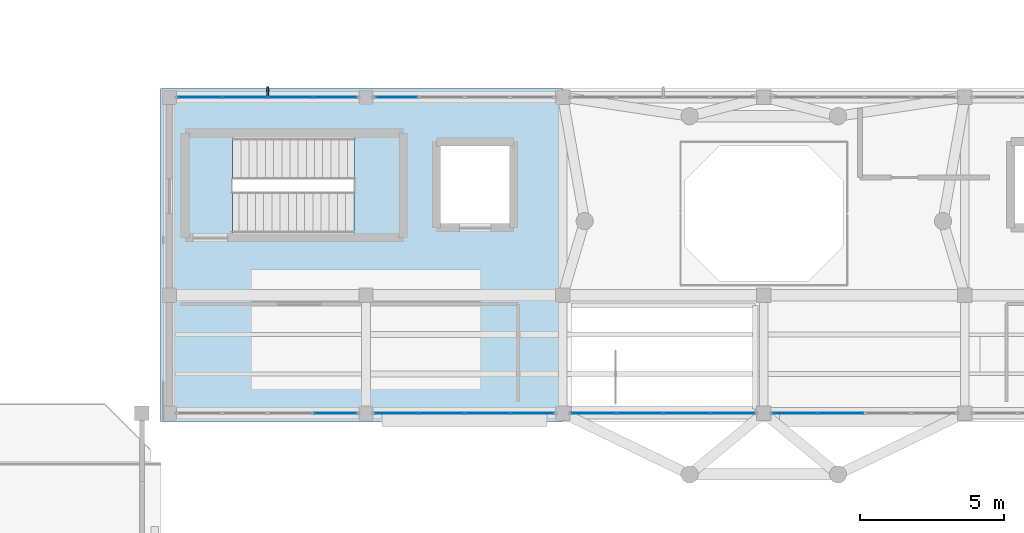
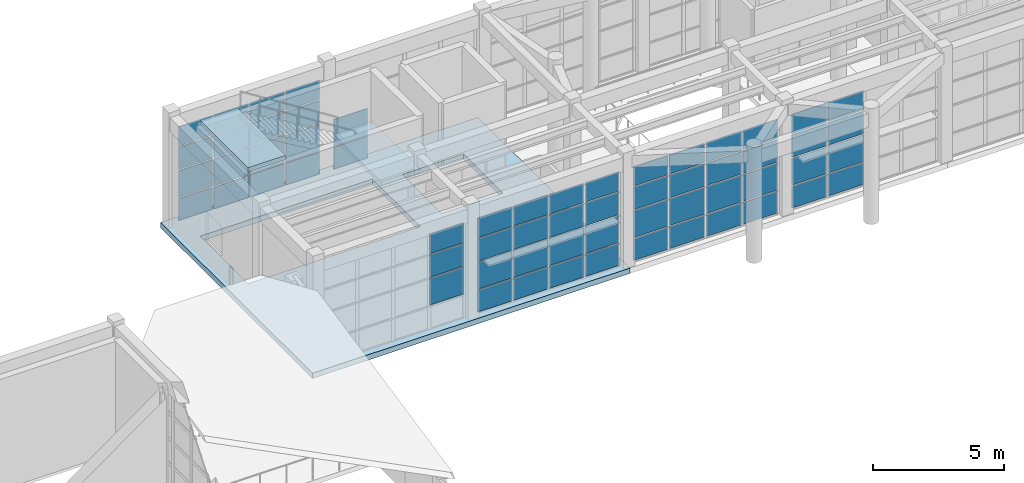
# One storey, part 66 of 103: 62 plates, 3 slabs, 7 elements without a shape of their own.
"""IFC4 building model written with IfcOpenShell, lengths in metres."""

from ifc_helpers import new_model, si_unit, direction, frame, origin, origin_2d, place, context, subcontext, project, spatial, polyline, rectangle, outline, extrude, material, layer, layer_set, type_object, element, aggregate, save


model = new_model("IFC4")

# Units and contexts
model_context = context("Model", 3, precision=1e-05, world=origin(), true_north=direction((0.0, 1.0)))
body_context = subcontext(model_context, "Body", "Model", "MODEL_VIEW")
ifc_project = project(units=[si_unit("LENGTHUNIT", "METRE"), si_unit("AREAUNIT", "SQUARE_METRE"), si_unit("VOLUMEUNIT", "CUBIC_METRE"), si_unit("PLANEANGLEUNIT", "RADIAN"), si_unit("MASSUNIT", "GRAM", prefix="KILO")], contexts=[model_context])

# Site, building, storey
site_placement = place(None, origin())
site = spatial("IfcSite", under=ifc_project, at=site_placement, CompositionType="ELEMENT")
building_placement = place(site_placement, origin())
building = spatial("IfcBuilding", under=site, at=building_placement, Name="Candilejo Ridge Gondola Terminal", CompositionType="ELEMENT")
storey_placement = place(building_placement, frame((0.0, 0.0, 9.0)))
storey = spatial("IfcBuildingStorey", under=building, at=storey_placement, Name="L02", CompositionType="ELEMENT", Elevation=9.0)

# Curtain wall, plates
ifc_material_1 = material(Name="Anodised aluminium AA 6063-T6", Category="aluminium")
ifc_layer_1 = layer(ifc_material_1, 0.169921875)
ifc_layer_set_1 = layer_set([ifc_layer_1], Name="ARC-CW-DRUM-3400-635X449")
curtain_wall_type_1 = type_object("IfcCurtainWallType", Name="ARC-CW-DRUM-3400-635X449", PredefinedType="NOTDEFINED", material=ifc_layer_set_1)
curtain_wall_1_placement = place(storey_placement, origin())
curtain_wall_1 = element("IfcCurtainWall", 1, at=curtain_wall_1_placement, inside=storey, type_object=curtain_wall_type_1, Name="Curtain wall V2 L02-046", PredefinedType="NOTDEFINED")
ifc_material_2 = material(Name="Low-E laminated double glazing 6+12A+6+1.52PVB+6 mm", Category="glass")
ifc_layer_2 = layer(ifc_material_2, 0.028076171875)
ifc_layer_set_2 = layer_set([ifc_layer_2], Name="ARC-CW-GLAZ-PANEL")
plate_type_1 = type_object("IfcPlateType", Name="ARC-CW-GLAZ-PANEL", PredefinedType="CURTAIN_PANEL", material=ifc_layer_set_2)
plate_1_placement = place(storey_placement, frame((45.7099609375, 36.699951171875, 0.06005859375), z_axis=(0.0, 0.0, 1.0), x_axis=(1.0, 0.0, 0.0)))
plate_1 = element("IfcPlate", 2, at=plate_1_placement, type_object=plate_type_1, Name="CW-63X44 panel 1.1", PredefinedType="CURTAIN_PANEL", context=body_context, shape_type="SweptSolid", body=[
    extrude(rectangle(XDim=1.489990234375, YDim=0.028076171875, at=origin_2d()), origin(), (0.0, 0.0, 1.0), 1.010009765625),
])
plate_2_placement = place(storey_placement, frame((45.7099609375, 36.699951171875, 1.1298828125), z_axis=(0.0, 0.0, 1.0), x_axis=(1.0, 0.0, 0.0)))
plate_2 = element("IfcPlate", 3, at=plate_2_placement, type_object=plate_type_1, Name="CW-63X44 panel 1.2", PredefinedType="CURTAIN_PANEL", context=body_context, shape_type="SweptSolid", body=[
    extrude(rectangle(XDim=1.489990234375, YDim=0.028076171875, at=origin_2d()), origin(), (0.0, 0.0, 1.0), 1.239990234375),
])
plate_3_placement = place(storey_placement, frame((45.7099609375, 36.699951171875, 2.429931640625), z_axis=(0.0, 0.0, 1.0), x_axis=(1.0, 0.0, 0.0)))
plate_3 = element("IfcPlate", 4, at=plate_3_placement, type_object=plate_type_1, Name="CW-63X44 panel 1.3", PredefinedType="CURTAIN_PANEL", context=body_context, shape_type="SweptSolid", body=[
    extrude(rectangle(XDim=1.489990234375, YDim=0.028076171875, at=origin_2d()), origin(), (0.0, 0.0, 1.0), 1.0400390625),
])
plate_4_placement = place(storey_placement, frame((45.7099609375, 36.699951171875, 3.530029296875), z_axis=(0.0, 0.0, 1.0), x_axis=(1.0, 0.0, 0.0)))
plate_4 = element("IfcPlate", 5, at=plate_4_placement, type_object=plate_type_1, Name="CW-63X44 panel 1.4", PredefinedType="CURTAIN_PANEL", context=body_context, shape_type="SweptSolid", body=[
    extrude(rectangle(XDim=1.489990234375, YDim=0.028076171875, at=origin_2d()), origin(), (0.0, 0.0, 1.0), 0.89990234375),
])
plate_5_placement = place(storey_placement, frame((47.28125, 36.699951171875, 0.06005859375), z_axis=(0.0, 0.0, 1.0), x_axis=(1.0, 0.0, 0.0)))
plate_5 = element("IfcPlate", 6, at=plate_5_placement, type_object=plate_type_1, Name="CW-63X44 panel 2.1", PredefinedType="CURTAIN_PANEL", context=body_context, shape_type="SweptSolid", body=[
    extrude(rectangle(XDim=1.5224609375, YDim=0.028076171875, at=origin_2d()), origin(), (0.0, 0.0, 1.0), 1.010009765625),
])
plate_6_placement = place(storey_placement, frame((47.28125, 36.699951171875, 1.1298828125), z_axis=(0.0, 0.0, 1.0), x_axis=(1.0, 0.0, 0.0)))
plate_6 = element("IfcPlate", 7, at=plate_6_placement, type_object=plate_type_1, Name="CW-63X44 panel 2.2", PredefinedType="CURTAIN_PANEL", context=body_context, shape_type="SweptSolid", body=[
    extrude(rectangle(XDim=1.5224609375, YDim=0.028076171875, at=origin_2d()), origin(), (0.0, 0.0, 1.0), 1.239990234375),
])
plate_7_placement = place(storey_placement, frame((47.28125, 36.699951171875, 2.429931640625), z_axis=(0.0, 0.0, 1.0), x_axis=(1.0, 0.0, 0.0)))
plate_7 = element("IfcPlate", 8, at=plate_7_placement, type_object=plate_type_1, Name="CW-63X44 panel 2.3", PredefinedType="CURTAIN_PANEL", context=body_context, shape_type="SweptSolid", body=[
    extrude(rectangle(XDim=1.5224609375, YDim=0.028076171875, at=origin_2d()), origin(), (0.0, 0.0, 1.0), 1.0400390625),
])
plate_8_placement = place(storey_placement, frame((47.28125, 36.699951171875, 3.530029296875), z_axis=(0.0, 0.0, 1.0), x_axis=(1.0, 0.0, 0.0)))
plate_8 = element("IfcPlate", 9, at=plate_8_placement, type_object=plate_type_1, Name="CW-63X44 panel 2.4", PredefinedType="CURTAIN_PANEL", context=body_context, shape_type="SweptSolid", body=[
    extrude(rectangle(XDim=1.5224609375, YDim=0.028076171875, at=origin_2d()), origin(), (0.0, 0.0, 1.0), 0.89990234375),
])
plate_9_placement = place(storey_placement, frame((48.86865234375, 36.699951171875, 0.06005859375), z_axis=(0.0, 0.0, 1.0), x_axis=(1.0, 0.0, 0.0)))
plate_9 = element("IfcPlate", 10, at=plate_9_placement, type_object=plate_type_1, Name="CW-63X44 panel 3.1", PredefinedType="CURTAIN_PANEL", context=body_context, shape_type="SweptSolid", body=[
    extrude(rectangle(XDim=1.5224609375, YDim=0.028076171875, at=origin_2d()), origin(), (0.0, 0.0, 1.0), 1.010009765625),
])
plate_10_placement = place(storey_placement, frame((48.86865234375, 36.699951171875, 1.1298828125), z_axis=(0.0, 0.0, 1.0), x_axis=(1.0, 0.0, 0.0)))
plate_10 = element("IfcPlate", 11, at=plate_10_placement, type_object=plate_type_1, Name="CW-63X44 panel 3.2", PredefinedType="CURTAIN_PANEL", context=body_context, shape_type="SweptSolid", body=[
    extrude(rectangle(XDim=1.5224609375, YDim=0.028076171875, at=origin_2d()), origin(), (0.0, 0.0, 1.0), 1.239990234375),
])
plate_11_placement = place(storey_placement, frame((48.86865234375, 36.699951171875, 2.429931640625), z_axis=(0.0, 0.0, 1.0), x_axis=(1.0, 0.0, 0.0)))
plate_11 = element("IfcPlate", 12, at=plate_11_placement, type_object=plate_type_1, Name="CW-63X44 panel 3.3", PredefinedType="CURTAIN_PANEL", context=body_context, shape_type="SweptSolid", body=[
    extrude(rectangle(XDim=1.5224609375, YDim=0.028076171875, at=origin_2d()), origin(), (0.0, 0.0, 1.0), 1.0400390625),
])
plate_12_placement = place(storey_placement, frame((48.86865234375, 36.699951171875, 3.530029296875), z_axis=(0.0, 0.0, 1.0), x_axis=(1.0, 0.0, 0.0)))
plate_12 = element("IfcPlate", 13, at=plate_12_placement, type_object=plate_type_1, Name="CW-63X44 panel 3.4", PredefinedType="CURTAIN_PANEL", context=body_context, shape_type="SweptSolid", body=[
    extrude(rectangle(XDim=1.5224609375, YDim=0.028076171875, at=origin_2d()), origin(), (0.0, 0.0, 1.0), 0.89990234375),
])
plate_13_placement = place(storey_placement, frame((50.43994140625, 36.699951171875, 0.06005859375), z_axis=(0.0, 0.0, 1.0), x_axis=(1.0, 0.0, 0.0)))
plate_13 = element("IfcPlate", 14, at=plate_13_placement, type_object=plate_type_1, Name="CW-63X44 panel 4.1", PredefinedType="CURTAIN_PANEL", context=body_context, shape_type="SweptSolid", body=[
    extrude(rectangle(XDim=1.489990234375, YDim=0.028076171875, at=origin_2d()), origin(), (0.0, 0.0, 1.0), 1.010009765625),
])
plate_14_placement = place(storey_placement, frame((50.43994140625, 36.699951171875, 1.1298828125), z_axis=(0.0, 0.0, 1.0), x_axis=(1.0, 0.0, 0.0)))
plate_14 = element("IfcPlate", 15, at=plate_14_placement, type_object=plate_type_1, Name="CW-63X44 panel 4.2", PredefinedType="CURTAIN_PANEL", context=body_context, shape_type="SweptSolid", body=[
    extrude(rectangle(XDim=1.489990234375, YDim=0.028076171875, at=origin_2d()), origin(), (0.0, 0.0, 1.0), 1.239990234375),
])
plate_15_placement = place(storey_placement, frame((50.43994140625, 36.699951171875, 2.429931640625), z_axis=(0.0, 0.0, 1.0), x_axis=(1.0, 0.0, 0.0)))
plate_15 = element("IfcPlate", 16, at=plate_15_placement, type_object=plate_type_1, Name="CW-63X44 panel 4.3", PredefinedType="CURTAIN_PANEL", context=body_context, shape_type="SweptSolid", body=[
    extrude(rectangle(XDim=1.489990234375, YDim=0.028076171875, at=origin_2d()), origin(), (0.0, 0.0, 1.0), 1.0400390625),
])
plate_16_placement = place(storey_placement, frame((50.43994140625, 36.699951171875, 3.530029296875), z_axis=(0.0, 0.0, 1.0), x_axis=(1.0, 0.0, 0.0)))
plate_16 = element("IfcPlate", 17, at=plate_16_placement, type_object=plate_type_1, Name="CW-63X44 panel 4.4", PredefinedType="CURTAIN_PANEL", context=body_context, shape_type="SweptSolid", body=[
    extrude(rectangle(XDim=1.489990234375, YDim=0.028076171875, at=origin_2d()), origin(), (0.0, 0.0, 1.0), 0.89990234375),
])
aggregate(curtain_wall_1, [plate_1, plate_2, plate_3, plate_4, plate_5, plate_6, plate_7, plate_8, plate_9, plate_10, plate_11, plate_12, plate_13, plate_14, plate_15, plate_16])

curtain_wall_2_placement = place(storey_placement, origin())
curtain_wall_2 = element("IfcCurtainWall", 18, at=curtain_wall_2_placement, inside=storey, type_object=curtain_wall_type_1, Name="Curtain wall V2 L02-047", PredefinedType="NOTDEFINED")
plate_17_placement = place(storey_placement, frame((50.43994140625, 25.699951171875, 1.1298828125), z_axis=(0.0, 0.0, 1.0), x_axis=(1.0, 0.0, 0.0)))
plate_17 = element("IfcPlate", 19, at=plate_17_placement, type_object=plate_type_1, Name="CW-63X44 panel 4.2", PredefinedType="CURTAIN_PANEL", context=body_context, shape_type="SweptSolid", body=[
    extrude(rectangle(XDim=1.489990234375, YDim=0.028076171875, at=origin_2d()), origin(), (0.0, 0.0, 1.0), 1.239990234375),
])
plate_18_placement = place(storey_placement, frame((50.43994140625, 25.699951171875, 2.429931640625), z_axis=(0.0, 0.0, 1.0), x_axis=(1.0, 0.0, 0.0)))
plate_18 = element("IfcPlate", 20, at=plate_18_placement, type_object=plate_type_1, Name="CW-63X44 panel 4.3", PredefinedType="CURTAIN_PANEL", context=body_context, shape_type="SweptSolid", body=[
    extrude(rectangle(XDim=1.489990234375, YDim=0.028076171875, at=origin_2d()), origin(), (0.0, 0.0, 1.0), 1.0400390625),
])
plate_19_placement = place(storey_placement, frame((50.43994140625, 25.699951171875, 3.530029296875), z_axis=(0.0, 0.0, 1.0), x_axis=(1.0, 0.0, 0.0)))
plate_19 = element("IfcPlate", 21, at=plate_19_placement, type_object=plate_type_1, Name="CW-63X44 panel 4.4", PredefinedType="CURTAIN_PANEL", context=body_context, shape_type="SweptSolid", body=[
    extrude(rectangle(XDim=1.489990234375, YDim=0.028076171875, at=origin_2d()), origin(), (0.0, 0.0, 1.0), 0.89990234375),
])
aggregate(curtain_wall_2, [plate_17, plate_18, plate_19])

curtain_wall_3_placement = place(storey_placement, origin())
curtain_wall_3 = element("IfcCurtainWall", 22, at=curtain_wall_3_placement, inside=storey, type_object=curtain_wall_type_1, Name="Curtain wall V2 L02-048", PredefinedType="NOTDEFINED")
plate_20_placement = place(storey_placement, frame((52.56005859375, 36.699951171875, 0.06005859375), z_axis=(0.0, 0.0, 1.0), x_axis=(1.0, 0.0, 0.0)))
plate_20 = element("IfcPlate", 23, at=plate_20_placement, type_object=plate_type_1, Name="CW-63X44 panel 1.1", PredefinedType="CURTAIN_PANEL", context=body_context, shape_type="SweptSolid", body=[
    extrude(rectangle(XDim=1.489990234375, YDim=0.028076171875, at=origin_2d()), origin(), (0.0, 0.0, 1.0), 1.010009765625),
])
plate_21_placement = place(storey_placement, frame((52.56005859375, 36.699951171875, 1.1298828125), z_axis=(0.0, 0.0, 1.0), x_axis=(1.0, 0.0, 0.0)))
plate_21 = element("IfcPlate", 24, at=plate_21_placement, type_object=plate_type_1, Name="CW-63X44 panel 1.2", PredefinedType="CURTAIN_PANEL", context=body_context, shape_type="SweptSolid", body=[
    extrude(rectangle(XDim=1.489990234375, YDim=0.028076171875, at=origin_2d()), origin(), (0.0, 0.0, 1.0), 1.239990234375),
])
aggregate(curtain_wall_3, [plate_20, plate_21])

curtain_wall_4_placement = place(storey_placement, origin())
curtain_wall_4 = element("IfcCurtainWall", 25, at=curtain_wall_4_placement, inside=storey, type_object=curtain_wall_type_1, Name="Curtain wall V2 L02-049", PredefinedType="NOTDEFINED")
plate_22_placement = place(storey_placement, frame((52.56005859375, 25.699951171875, 0.06005859375), z_axis=(0.0, 0.0, 1.0), x_axis=(1.0, 0.0, 0.0)))
plate_22 = element("IfcPlate", 26, at=plate_22_placement, type_object=plate_type_1, Name="CW-63X44 panel 1.1", PredefinedType="CURTAIN_PANEL", context=body_context, shape_type="SweptSolid", body=[
    extrude(rectangle(XDim=1.489990234375, YDim=0.028076171875, at=origin_2d()), origin(), (0.0, 0.0, 1.0), 1.010009765625),
])
plate_23_placement = place(storey_placement, frame((52.56005859375, 25.699951171875, 1.1298828125), z_axis=(0.0, 0.0, 1.0), x_axis=(1.0, 0.0, 0.0)))
plate_23 = element("IfcPlate", 27, at=plate_23_placement, type_object=plate_type_1, Name="CW-63X44 panel 1.2", PredefinedType="CURTAIN_PANEL", context=body_context, shape_type="SweptSolid", body=[
    extrude(rectangle(XDim=1.489990234375, YDim=0.028076171875, at=origin_2d()), origin(), (0.0, 0.0, 1.0), 1.239990234375),
])
plate_24_placement = place(storey_placement, frame((52.56005859375, 25.699951171875, 2.429931640625), z_axis=(0.0, 0.0, 1.0), x_axis=(1.0, 0.0, 0.0)))
plate_24 = element("IfcPlate", 28, at=plate_24_placement, type_object=plate_type_1, Name="CW-63X44 panel 1.3", PredefinedType="CURTAIN_PANEL", context=body_context, shape_type="SweptSolid", body=[
    extrude(rectangle(XDim=1.489990234375, YDim=0.028076171875, at=origin_2d()), origin(), (0.0, 0.0, 1.0), 1.0400390625),
])
plate_25_placement = place(storey_placement, frame((52.56005859375, 25.699951171875, 3.530029296875), z_axis=(0.0, 0.0, 1.0), x_axis=(1.0, 0.0, 0.0)))
plate_25 = element("IfcPlate", 29, at=plate_25_placement, type_object=plate_type_1, Name="CW-63X44 panel 1.4", PredefinedType="CURTAIN_PANEL", context=body_context, shape_type="SweptSolid", body=[
    extrude(rectangle(XDim=1.489990234375, YDim=0.028076171875, at=origin_2d()), origin(), (0.0, 0.0, 1.0), 0.89990234375),
])
plate_26_placement = place(storey_placement, frame((54.13134765625, 25.699951171875, 0.06005859375), z_axis=(0.0, 0.0, 1.0), x_axis=(1.0, 0.0, 0.0)))
plate_26 = element("IfcPlate", 30, at=plate_26_placement, type_object=plate_type_1, Name="CW-63X44 panel 2.1", PredefinedType="CURTAIN_PANEL", context=body_context, shape_type="SweptSolid", body=[
    extrude(rectangle(XDim=1.5224609375, YDim=0.028076171875, at=origin_2d()), origin(), (0.0, 0.0, 1.0), 1.010009765625),
])
plate_27_placement = place(storey_placement, frame((54.13134765625, 25.699951171875, 1.1298828125), z_axis=(0.0, 0.0, 1.0), x_axis=(1.0, 0.0, 0.0)))
plate_27 = element("IfcPlate", 31, at=plate_27_placement, type_object=plate_type_1, Name="CW-63X44 panel 2.2", PredefinedType="CURTAIN_PANEL", context=body_context, shape_type="SweptSolid", body=[
    extrude(rectangle(XDim=1.5224609375, YDim=0.028076171875, at=origin_2d()), origin(), (0.0, 0.0, 1.0), 1.239990234375),
])
plate_28_placement = place(storey_placement, frame((54.13134765625, 25.699951171875, 2.429931640625), z_axis=(0.0, 0.0, 1.0), x_axis=(1.0, 0.0, 0.0)))
plate_28 = element("IfcPlate", 32, at=plate_28_placement, type_object=plate_type_1, Name="CW-63X44 panel 2.3", PredefinedType="CURTAIN_PANEL", context=body_context, shape_type="SweptSolid", body=[
    extrude(rectangle(XDim=1.5224609375, YDim=0.028076171875, at=origin_2d()), origin(), (0.0, 0.0, 1.0), 1.0400390625),
])
plate_29_placement = place(storey_placement, frame((54.13134765625, 25.699951171875, 3.530029296875), z_axis=(0.0, 0.0, 1.0), x_axis=(1.0, 0.0, 0.0)))
plate_29 = element("IfcPlate", 33, at=plate_29_placement, type_object=plate_type_1, Name="CW-63X44 panel 2.4", PredefinedType="CURTAIN_PANEL", context=body_context, shape_type="SweptSolid", body=[
    extrude(rectangle(XDim=1.5224609375, YDim=0.028076171875, at=origin_2d()), origin(), (0.0, 0.0, 1.0), 0.89990234375),
])
plate_30_placement = place(storey_placement, frame((55.71875, 25.699951171875, 0.06005859375), z_axis=(0.0, 0.0, 1.0), x_axis=(1.0, 0.0, 0.0)))
plate_30 = element("IfcPlate", 34, at=plate_30_placement, type_object=plate_type_1, Name="CW-63X44 panel 3.1", PredefinedType="CURTAIN_PANEL", context=body_context, shape_type="SweptSolid", body=[
    extrude(rectangle(XDim=1.5224609375, YDim=0.028076171875, at=origin_2d()), origin(), (0.0, 0.0, 1.0), 1.010009765625),
])
plate_31_placement = place(storey_placement, frame((55.71875, 25.699951171875, 1.1298828125), z_axis=(0.0, 0.0, 1.0), x_axis=(1.0, 0.0, 0.0)))
plate_31 = element("IfcPlate", 35, at=plate_31_placement, type_object=plate_type_1, Name="CW-63X44 panel 3.2", PredefinedType="CURTAIN_PANEL", context=body_context, shape_type="SweptSolid", body=[
    extrude(rectangle(XDim=1.5224609375, YDim=0.028076171875, at=origin_2d()), origin(), (0.0, 0.0, 1.0), 1.239990234375),
])
plate_32_placement = place(storey_placement, frame((55.71875, 25.699951171875, 2.429931640625), z_axis=(0.0, 0.0, 1.0), x_axis=(1.0, 0.0, 0.0)))
plate_32 = element("IfcPlate", 36, at=plate_32_placement, type_object=plate_type_1, Name="CW-63X44 panel 3.3", PredefinedType="CURTAIN_PANEL", context=body_context, shape_type="SweptSolid", body=[
    extrude(rectangle(XDim=1.5224609375, YDim=0.028076171875, at=origin_2d()), origin(), (0.0, 0.0, 1.0), 1.0400390625),
])
plate_33_placement = place(storey_placement, frame((55.71875, 25.699951171875, 3.530029296875), z_axis=(0.0, 0.0, 1.0), x_axis=(1.0, 0.0, 0.0)))
plate_33 = element("IfcPlate", 37, at=plate_33_placement, type_object=plate_type_1, Name="CW-63X44 panel 3.4", PredefinedType="CURTAIN_PANEL", context=body_context, shape_type="SweptSolid", body=[
    extrude(rectangle(XDim=1.5224609375, YDim=0.028076171875, at=origin_2d()), origin(), (0.0, 0.0, 1.0), 0.89990234375),
])
plate_34_placement = place(storey_placement, frame((57.2900390625, 25.699951171875, 0.06005859375), z_axis=(0.0, 0.0, 1.0), x_axis=(1.0, 0.0, 0.0)))
plate_34 = element("IfcPlate", 38, at=plate_34_placement, type_object=plate_type_1, Name="CW-63X44 panel 4.1", PredefinedType="CURTAIN_PANEL", context=body_context, shape_type="SweptSolid", body=[
    extrude(rectangle(XDim=1.489990234375, YDim=0.028076171875, at=origin_2d()), origin(), (0.0, 0.0, 1.0), 1.010009765625),
])
plate_35_placement = place(storey_placement, frame((57.2900390625, 25.699951171875, 1.1298828125), z_axis=(0.0, 0.0, 1.0), x_axis=(1.0, 0.0, 0.0)))
plate_35 = element("IfcPlate", 39, at=plate_35_placement, type_object=plate_type_1, Name="CW-63X44 panel 4.2", PredefinedType="CURTAIN_PANEL", context=body_context, shape_type="SweptSolid", body=[
    extrude(rectangle(XDim=1.489990234375, YDim=0.028076171875, at=origin_2d()), origin(), (0.0, 0.0, 1.0), 1.239990234375),
])
plate_36_placement = place(storey_placement, frame((57.2900390625, 25.699951171875, 2.429931640625), z_axis=(0.0, 0.0, 1.0), x_axis=(1.0, 0.0, 0.0)))
plate_36 = element("IfcPlate", 40, at=plate_36_placement, type_object=plate_type_1, Name="CW-63X44 panel 4.3", PredefinedType="CURTAIN_PANEL", context=body_context, shape_type="SweptSolid", body=[
    extrude(rectangle(XDim=1.489990234375, YDim=0.028076171875, at=origin_2d()), origin(), (0.0, 0.0, 1.0), 1.0400390625),
])
plate_37_placement = place(storey_placement, frame((57.2900390625, 25.699951171875, 3.530029296875), z_axis=(0.0, 0.0, 1.0), x_axis=(1.0, 0.0, 0.0)))
plate_37 = element("IfcPlate", 41, at=plate_37_placement, type_object=plate_type_1, Name="CW-63X44 panel 4.4", PredefinedType="CURTAIN_PANEL", context=body_context, shape_type="SweptSolid", body=[
    extrude(rectangle(XDim=1.489990234375, YDim=0.028076171875, at=origin_2d()), origin(), (0.0, 0.0, 1.0), 0.89990234375),
])
aggregate(curtain_wall_4, [plate_22, plate_23, plate_24, plate_25, plate_26, plate_27, plate_28, plate_29, plate_30, plate_31, plate_32, plate_33, plate_34, plate_35, plate_36, plate_37])

ifc_material_3 = material(Name="Anodised aluminium AA 6063-T6", Category="aluminium")
ifc_layer_3 = layer(ifc_material_3, 0.169921875)
ifc_layer_set_3 = layer_set([ifc_layer_3], Name="ARC-CW-DRUM-3400-650X449")
curtain_wall_type_2 = type_object("IfcCurtainWallType", Name="ARC-CW-DRUM-3400-650X449", PredefinedType="NOTDEFINED", material=ifc_layer_set_3)
curtain_wall_5_placement = place(storey_placement, origin())
curtain_wall_5 = element("IfcCurtainWall", 42, at=curtain_wall_5_placement, inside=storey, type_object=curtain_wall_type_2, Name="Curtain wall V2 L02-051", PredefinedType="NOTDEFINED")
plate_38_placement = place(storey_placement, frame((59.4287109375, 25.699951171875, 0.06005859375), z_axis=(0.0, 0.0, 1.0), x_axis=(1.0, 0.0, 0.0)))
plate_38 = element("IfcPlate", 43, at=plate_38_placement, type_object=plate_type_1, Name="CW-65X44 panel 1.1", PredefinedType="CURTAIN_PANEL", context=body_context, shape_type="SweptSolid", body=[
    extrude(rectangle(XDim=1.527587890625, YDim=0.028076171875, at=origin_2d()), origin(), (0.0, 0.0, 1.0), 1.010009765625),
])
plate_39_placement = place(storey_placement, frame((59.4287109375, 25.699951171875, 1.1298828125), z_axis=(0.0, 0.0, 1.0), x_axis=(1.0, 0.0, 0.0)))
plate_39 = element("IfcPlate", 44, at=plate_39_placement, type_object=plate_type_1, Name="CW-65X44 panel 1.2", PredefinedType="CURTAIN_PANEL", context=body_context, shape_type="SweptSolid", body=[
    extrude(rectangle(XDim=1.527587890625, YDim=0.028076171875, at=origin_2d()), origin(), (0.0, 0.0, 1.0), 1.239990234375),
])
plate_40_placement = place(storey_placement, frame((59.4287109375, 25.699951171875, 2.429931640625), z_axis=(0.0, 0.0, 1.0), x_axis=(1.0, 0.0, 0.0)))
plate_40 = element("IfcPlate", 45, at=plate_40_placement, type_object=plate_type_1, Name="CW-65X44 panel 1.3", PredefinedType="CURTAIN_PANEL", context=body_context, shape_type="SweptSolid", body=[
    extrude(rectangle(XDim=1.527587890625, YDim=0.028076171875, at=origin_2d()), origin(), (0.0, 0.0, 1.0), 1.0400390625),
])
plate_41_placement = place(storey_placement, frame((59.4287109375, 25.699951171875, 3.530029296875), z_axis=(0.0, 0.0, 1.0), x_axis=(1.0, 0.0, 0.0)))
plate_41 = element("IfcPlate", 46, at=plate_41_placement, type_object=plate_type_1, Name="CW-65X44 panel 1.4", PredefinedType="CURTAIN_PANEL", context=body_context, shape_type="SweptSolid", body=[
    extrude(rectangle(XDim=1.527587890625, YDim=0.028076171875, at=origin_2d()), origin(), (0.0, 0.0, 1.0), 0.89990234375),
])
plate_42_placement = place(storey_placement, frame((61.03759765625, 25.699951171875, 0.06005859375), z_axis=(0.0, 0.0, 1.0), x_axis=(1.0, 0.0, 0.0)))
plate_42 = element("IfcPlate", 47, at=plate_42_placement, type_object=plate_type_1, Name="CW-65X44 panel 2.1", PredefinedType="CURTAIN_PANEL", context=body_context, shape_type="SweptSolid", body=[
    extrude(rectangle(XDim=1.56005859375, YDim=0.028076171875, at=origin_2d()), origin(), (0.0, 0.0, 1.0), 1.010009765625),
])
plate_43_placement = place(storey_placement, frame((61.03759765625, 25.699951171875, 1.1298828125), z_axis=(0.0, 0.0, 1.0), x_axis=(1.0, 0.0, 0.0)))
plate_43 = element("IfcPlate", 48, at=plate_43_placement, type_object=plate_type_1, Name="CW-65X44 panel 2.2", PredefinedType="CURTAIN_PANEL", context=body_context, shape_type="SweptSolid", body=[
    extrude(rectangle(XDim=1.56005859375, YDim=0.028076171875, at=origin_2d()), origin(), (0.0, 0.0, 1.0), 1.239990234375),
])
plate_44_placement = place(storey_placement, frame((61.03759765625, 25.699951171875, 2.429931640625), z_axis=(0.0, 0.0, 1.0), x_axis=(1.0, 0.0, 0.0)))
plate_44 = element("IfcPlate", 49, at=plate_44_placement, type_object=plate_type_1, Name="CW-65X44 panel 2.3", PredefinedType="CURTAIN_PANEL", context=body_context, shape_type="SweptSolid", body=[
    extrude(rectangle(XDim=1.56005859375, YDim=0.028076171875, at=origin_2d()), origin(), (0.0, 0.0, 1.0), 1.0400390625),
])
plate_45_placement = place(storey_placement, frame((61.03759765625, 25.699951171875, 3.530029296875), z_axis=(0.0, 0.0, 1.0), x_axis=(1.0, 0.0, 0.0)))
plate_45 = element("IfcPlate", 50, at=plate_45_placement, type_object=plate_type_1, Name="CW-65X44 panel 2.4", PredefinedType="CURTAIN_PANEL", context=body_context, shape_type="SweptSolid", body=[
    extrude(rectangle(XDim=1.56005859375, YDim=0.028076171875, at=origin_2d()), origin(), (0.0, 0.0, 1.0), 0.89990234375),
])
plate_46_placement = place(storey_placement, frame((62.66259765625, 25.699951171875, 0.06005859375), z_axis=(0.0, 0.0, 1.0), x_axis=(1.0, 0.0, 0.0)))
plate_46 = element("IfcPlate", 51, at=plate_46_placement, type_object=plate_type_1, Name="CW-65X44 panel 3.1", PredefinedType="CURTAIN_PANEL", context=body_context, shape_type="SweptSolid", body=[
    extrude(rectangle(XDim=1.56005859375, YDim=0.028076171875, at=origin_2d()), origin(), (0.0, 0.0, 1.0), 1.010009765625),
])
plate_47_placement = place(storey_placement, frame((62.66259765625, 25.699951171875, 1.1298828125), z_axis=(0.0, 0.0, 1.0), x_axis=(1.0, 0.0, 0.0)))
plate_47 = element("IfcPlate", 52, at=plate_47_placement, type_object=plate_type_1, Name="CW-65X44 panel 3.2", PredefinedType="CURTAIN_PANEL", context=body_context, shape_type="SweptSolid", body=[
    extrude(rectangle(XDim=1.56005859375, YDim=0.028076171875, at=origin_2d()), origin(), (0.0, 0.0, 1.0), 1.239990234375),
])
plate_48_placement = place(storey_placement, frame((62.66259765625, 25.699951171875, 2.429931640625), z_axis=(0.0, 0.0, 1.0), x_axis=(1.0, 0.0, 0.0)))
plate_48 = element("IfcPlate", 53, at=plate_48_placement, type_object=plate_type_1, Name="CW-65X44 panel 3.3", PredefinedType="CURTAIN_PANEL", context=body_context, shape_type="SweptSolid", body=[
    extrude(rectangle(XDim=1.56005859375, YDim=0.028076171875, at=origin_2d()), origin(), (0.0, 0.0, 1.0), 1.0400390625),
])
plate_49_placement = place(storey_placement, frame((62.66259765625, 25.699951171875, 3.530029296875), z_axis=(0.0, 0.0, 1.0), x_axis=(1.0, 0.0, 0.0)))
plate_49 = element("IfcPlate", 54, at=plate_49_placement, type_object=plate_type_1, Name="CW-65X44 panel 3.4", PredefinedType="CURTAIN_PANEL", context=body_context, shape_type="SweptSolid", body=[
    extrude(rectangle(XDim=1.56005859375, YDim=0.028076171875, at=origin_2d()), origin(), (0.0, 0.0, 1.0), 0.89990234375),
])
plate_50_placement = place(storey_placement, frame((64.271240234375, 25.699951171875, 0.06005859375), z_axis=(0.0, 0.0, 1.0), x_axis=(1.0, 0.0, 0.0)))
plate_50 = element("IfcPlate", 55, at=plate_50_placement, type_object=plate_type_1, Name="CW-65X44 panel 4.1", PredefinedType="CURTAIN_PANEL", context=body_context, shape_type="SweptSolid", body=[
    extrude(rectangle(XDim=1.527587890625, YDim=0.028076171875, at=origin_2d()), origin(), (0.0, 0.0, 1.0), 1.010009765625),
])
plate_51_placement = place(storey_placement, frame((64.271240234375, 25.699951171875, 1.1298828125), z_axis=(0.0, 0.0, 1.0), x_axis=(1.0, 0.0, 0.0)))
plate_51 = element("IfcPlate", 56, at=plate_51_placement, type_object=plate_type_1, Name="CW-65X44 panel 4.2", PredefinedType="CURTAIN_PANEL", context=body_context, shape_type="SweptSolid", body=[
    extrude(rectangle(XDim=1.527587890625, YDim=0.028076171875, at=origin_2d()), origin(), (0.0, 0.0, 1.0), 1.239990234375),
])
plate_52_placement = place(storey_placement, frame((64.271240234375, 25.699951171875, 2.429931640625), z_axis=(0.0, 0.0, 1.0), x_axis=(1.0, 0.0, 0.0)))
plate_52 = element("IfcPlate", 57, at=plate_52_placement, type_object=plate_type_1, Name="CW-65X44 panel 4.3", PredefinedType="CURTAIN_PANEL", context=body_context, shape_type="SweptSolid", body=[
    extrude(rectangle(XDim=1.527587890625, YDim=0.028076171875, at=origin_2d()), origin(), (0.0, 0.0, 1.0), 1.0400390625),
])
plate_53_placement = place(storey_placement, frame((64.271240234375, 25.699951171875, 3.530029296875), z_axis=(0.0, 0.0, 1.0), x_axis=(1.0, 0.0, 0.0)))
plate_53 = element("IfcPlate", 58, at=plate_53_placement, type_object=plate_type_1, Name="CW-65X44 panel 4.4", PredefinedType="CURTAIN_PANEL", context=body_context, shape_type="SweptSolid", body=[
    extrude(rectangle(XDim=1.527587890625, YDim=0.028076171875, at=origin_2d()), origin(), (0.0, 0.0, 1.0), 0.89990234375),
])
aggregate(curtain_wall_5, [plate_38, plate_39, plate_40, plate_41, plate_42, plate_43, plate_44, plate_45, plate_46, plate_47, plate_48, plate_49, plate_50, plate_51, plate_52, plate_53])

curtain_wall_6_placement = place(storey_placement, origin())
curtain_wall_6 = element("IfcCurtainWall", 59, at=curtain_wall_6_placement, inside=storey, type_object=curtain_wall_type_2, Name="Curtain wall V2 L02-053", PredefinedType="NOTDEFINED")
plate_54_placement = place(storey_placement, frame((66.4287109375, 25.699951171875, 0.06005859375), z_axis=(0.0, 0.0, 1.0), x_axis=(1.0, 0.0, 0.0)))
plate_54 = element("IfcPlate", 60, at=plate_54_placement, type_object=plate_type_1, Name="CW-65X44 panel 1.1", PredefinedType="CURTAIN_PANEL", context=body_context, shape_type="SweptSolid", body=[
    extrude(rectangle(XDim=1.527587890625, YDim=0.028076171875, at=origin_2d()), origin(), (0.0, 0.0, 1.0), 1.010009765625),
])
plate_55_placement = place(storey_placement, frame((66.4287109375, 25.699951171875, 1.1298828125), z_axis=(0.0, 0.0, 1.0), x_axis=(1.0, 0.0, 0.0)))
plate_55 = element("IfcPlate", 61, at=plate_55_placement, type_object=plate_type_1, Name="CW-65X44 panel 1.2", PredefinedType="CURTAIN_PANEL", context=body_context, shape_type="SweptSolid", body=[
    extrude(rectangle(XDim=1.527587890625, YDim=0.028076171875, at=origin_2d()), origin(), (0.0, 0.0, 1.0), 1.239990234375),
])
plate_56_placement = place(storey_placement, frame((66.4287109375, 25.699951171875, 2.429931640625), z_axis=(0.0, 0.0, 1.0), x_axis=(1.0, 0.0, 0.0)))
plate_56 = element("IfcPlate", 62, at=plate_56_placement, type_object=plate_type_1, Name="CW-65X44 panel 1.3", PredefinedType="CURTAIN_PANEL", context=body_context, shape_type="SweptSolid", body=[
    extrude(rectangle(XDim=1.527587890625, YDim=0.028076171875, at=origin_2d()), origin(), (0.0, 0.0, 1.0), 1.0400390625),
])
plate_57_placement = place(storey_placement, frame((66.4287109375, 25.699951171875, 3.530029296875), z_axis=(0.0, 0.0, 1.0), x_axis=(1.0, 0.0, 0.0)))
plate_57 = element("IfcPlate", 63, at=plate_57_placement, type_object=plate_type_1, Name="CW-65X44 panel 1.4", PredefinedType="CURTAIN_PANEL", context=body_context, shape_type="SweptSolid", body=[
    extrude(rectangle(XDim=1.527587890625, YDim=0.028076171875, at=origin_2d()), origin(), (0.0, 0.0, 1.0), 0.89990234375),
])
plate_58_placement = place(storey_placement, frame((68.03759765625, 25.699951171875, 0.06005859375), z_axis=(0.0, 0.0, 1.0), x_axis=(1.0, 0.0, 0.0)))
plate_58 = element("IfcPlate", 64, at=plate_58_placement, type_object=plate_type_1, Name="CW-65X44 panel 2.1", PredefinedType="CURTAIN_PANEL", context=body_context, shape_type="SweptSolid", body=[
    extrude(rectangle(XDim=1.56005859375, YDim=0.028076171875, at=origin_2d()), origin(), (0.0, 0.0, 1.0), 1.010009765625),
])
plate_59_placement = place(storey_placement, frame((68.03759765625, 25.699951171875, 1.1298828125), z_axis=(0.0, 0.0, 1.0), x_axis=(1.0, 0.0, 0.0)))
plate_59 = element("IfcPlate", 65, at=plate_59_placement, type_object=plate_type_1, Name="CW-65X44 panel 2.2", PredefinedType="CURTAIN_PANEL", context=body_context, shape_type="SweptSolid", body=[
    extrude(rectangle(XDim=1.56005859375, YDim=0.028076171875, at=origin_2d()), origin(), (0.0, 0.0, 1.0), 1.239990234375),
])
plate_60_placement = place(storey_placement, frame((68.03759765625, 25.699951171875, 2.429931640625), z_axis=(0.0, 0.0, 1.0), x_axis=(1.0, 0.0, 0.0)))
plate_60 = element("IfcPlate", 66, at=plate_60_placement, type_object=plate_type_1, Name="CW-65X44 panel 2.3", PredefinedType="CURTAIN_PANEL", context=body_context, shape_type="SweptSolid", body=[
    extrude(rectangle(XDim=1.56005859375, YDim=0.028076171875, at=origin_2d()), origin(), (0.0, 0.0, 1.0), 1.0400390625),
])
plate_61_placement = place(storey_placement, frame((68.03759765625, 25.699951171875, 3.530029296875), z_axis=(0.0, 0.0, 1.0), x_axis=(1.0, 0.0, 0.0)))
plate_61 = element("IfcPlate", 67, at=plate_61_placement, type_object=plate_type_1, Name="CW-65X44 panel 2.4", PredefinedType="CURTAIN_PANEL", context=body_context, shape_type="SweptSolid", body=[
    extrude(rectangle(XDim=1.56005859375, YDim=0.028076171875, at=origin_2d()), origin(), (0.0, 0.0, 1.0), 0.89990234375),
])
aggregate(curtain_wall_6, [plate_54, plate_55, plate_56, plate_57, plate_58, plate_59, plate_60, plate_61])

# Plate
ifc_material_4 = material(Name="Extruded architectural terracotta fin", Category="masonry")
plate_type_2 = type_object("IfcPlateType", Name="ARC-SOLAR-FIN-340", PredefinedType="USERDEFINED", material=ifc_material_4)
plate_62_placement = place(storey_placement, frame((48.074951171875, 36.884033203125, 0.099853515625), z_axis=(0.0, 0.0, 1.0), x_axis=(1.0, 0.0, 0.0)))
element("IfcPlate", 68, at=plate_62_placement, inside=storey, type_object=plate_type_2, Name="Terracotta solar fin V2-12", ObjectType="SOLAR FIN", PredefinedType="USERDEFINED", context=body_context, shape_type="SweptSolid", body=[
    extrude(rectangle(XDim=0.06494140625, YDim=0.340087890625, at=origin_2d()), origin(), (0.0, 0.0, 1.0), 3.10009765625),
])

# Slab
ifc_material_5 = material(Name="Concrete f'c 35 MPa (C35/45)", Category="concrete")
ifc_layer_4 = layer(ifc_material_5, 0.25)
ifc_layer_set_4 = layer_set([ifc_layer_4], Name="STR-FLOOR-SLAB-250")
slab_type_1 = type_object("IfcSlabType", Name="STR-FLOOR-SLAB-250", PredefinedType="FLOOR", material=ifc_layer_set_4)
slab_1_placement = place(storey_placement, frame((0.0, 0.0, -0.25)))
element("IfcSlab", 69, at=slab_1_placement, inside=storey, type_object=slab_type_1, Name="Slab SLB-V2-L02-W", PredefinedType="FLOOR", context=body_context, shape_type="SweptSolid", body=[
    extrude(outline(polyline([(44.35009765625, 25.39990234375), (58.35009765625, 25.39990234375), (58.35009765625, 37.0), (44.35009765625, 37.0), (44.35009765625, 25.39990234375)]), holes=[polyline([(45.199951171875, 31.800048828125), (52.800048828125, 31.800048828125), (52.800048828125, 35.449951171875), (45.199951171875, 35.449951171875), (45.199951171875, 31.800048828125)]), polyline([(53.949951171875, 32.14990234375), (56.64990234375, 32.14990234375), (56.64990234375, 35.14990234375), (53.949951171875, 35.14990234375), (53.949951171875, 32.14990234375)])]), origin(), (0.0, 0.0, 1.0), 0.25),
])

# Stair, slabs
ifc_material_6 = material(Name="Concrete f'c 35 MPa (C35/45)", Category="concrete")
stair_type = type_object("IfcStairType", Name="STR-STAIR-1450-5400", PredefinedType="HALF_TURN_STAIR", material=ifc_material_6)
stair_placement = place(storey_placement, origin())
stair = element("IfcStair", 70, at=stair_placement, inside=storey, type_object=stair_type, Name="Enclosed fire exit stair ST-V2A-L02", PredefinedType="HALF_TURN_STAIR")
ifc_material_7 = material(Name="Concrete f'c 35 MPa (C35/45)", Category="concrete")
ifc_layer_5 = layer(ifc_material_7, 0.199951171875)
ifc_layer_set_5 = layer_set([ifc_layer_5], Name="STR-STAIR-LANDING-200")
slab_type_2 = type_object("IfcSlabType", Name="STR-STAIR-LANDING-200", PredefinedType="LANDING", material=ifc_layer_set_5)
slab_2_placement = place(storey_placement, frame((0.0, 0.0, 2.5)))
slab_2 = element("IfcSlab", 71, at=slab_2_placement, type_object=slab_type_2, Name="Stair half-landing ST-V2A-LND-03", PredefinedType="LANDING", context=body_context, shape_type="SweptSolid", body=[
    extrude(outline(polyline([(51.074951171875, 31.800048828125), (52.800048828125, 31.800048828125), (52.800048828125, 35.449951171875), (51.074951171875, 35.449951171875), (51.074951171875, 31.800048828125)])), origin(), (0.0, 0.0, 1.0), 0.199951171875),
])
slab_3_placement = place(storey_placement, frame((0.0, 0.0, 5.199951171875)))
slab_3 = element("IfcSlab", 72, at=slab_3_placement, type_object=slab_type_2, Name="Stair floor landing ST-V2A-L02-ARR-L03", PredefinedType="LANDING", context=body_context, shape_type="SweptSolid", body=[
    extrude(outline(polyline([(45.199951171875, 31.800048828125), (46.860107421875, 31.800048828125), (46.860107421875, 35.449951171875), (45.199951171875, 35.449951171875), (45.199951171875, 31.800048828125)])), origin(), (0.0, 0.0, 1.0), 0.199951171875),
])
aggregate(stair, [slab_2, slab_3])

save(model, "model.ifc")
